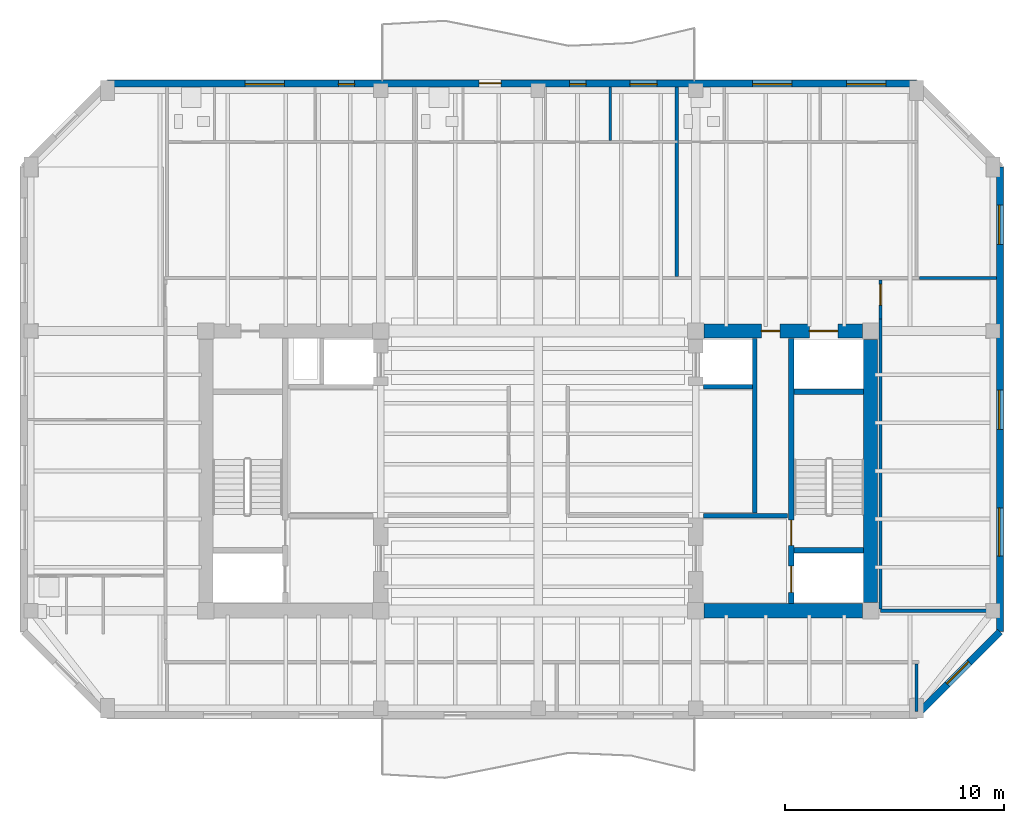
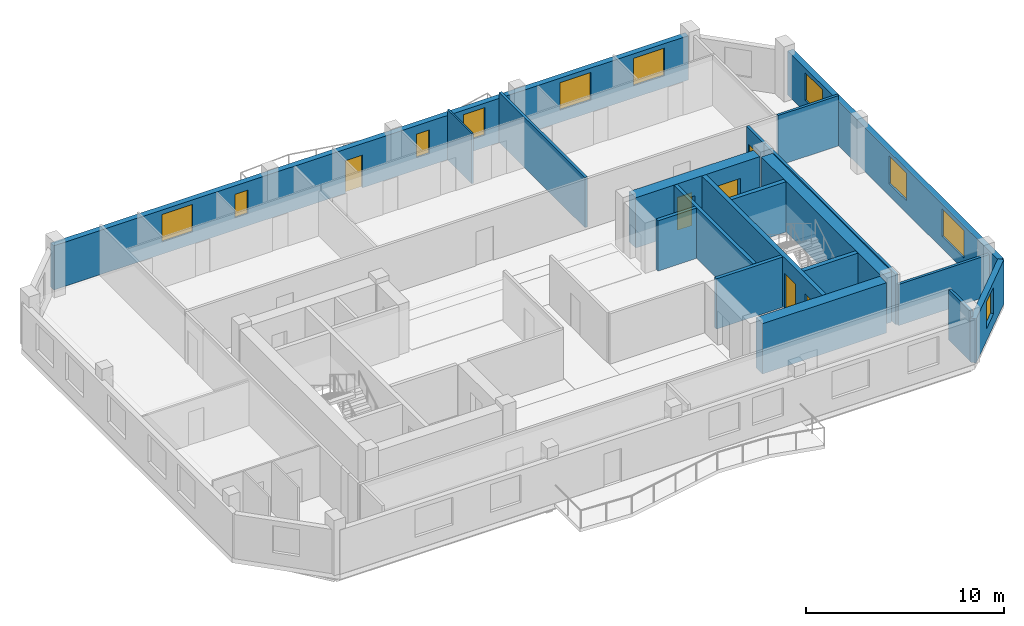
# One storey, part 5 of 10: 19 walls, 10 windows, 6 doors, 16 openings.
"""IFC4 building model written with IfcOpenShell, lengths in metres."""

from ifc_helpers import new_model, si_unit, direction, frame, frame_2d, origin, place, context, subcontext, project, spatial, rectangle, extrude, material, layer, layer_set, type_object, element, fill, save


model = new_model("IFC4")

# Units and contexts
model_context = context("Model", 3, precision=1e-05, world=origin(), true_north=direction((0.0, 1.0)))
body_context = subcontext(model_context, "Body", "Model", "MODEL_VIEW")
ifc_project = project(units=[si_unit("LENGTHUNIT", "METRE"), si_unit("AREAUNIT", "SQUARE_METRE"), si_unit("VOLUMEUNIT", "CUBIC_METRE"), si_unit("PLANEANGLEUNIT", "RADIAN"), si_unit("MASSUNIT", "GRAM", prefix="KILO")], contexts=[model_context])

# Site, building, storey
site_placement = place(None, origin())
site = spatial("IfcSite", under=ifc_project, at=site_placement, CompositionType="ELEMENT")
building_placement = place(site_placement, origin())
building = spatial("IfcBuilding", under=site, at=building_placement, Name="Kranthara Brick Stack", CompositionType="ELEMENT")
storey_placement = place(building_placement, frame((0.0, 0.0, 272.10009765625)))
storey = spatial("IfcBuildingStorey", under=building, at=storey_placement, Name="L72", CompositionType="ELEMENT", Elevation=272.10009765625)

# Wall, openings, door, windows
ifc_material_1 = material(Name="Warm buff clay brick masonry M15", Category="masonry")
ifc_layer_1 = layer(ifc_material_1, 0.320068359375)
ifc_layer_set_1 = layer_set([ifc_layer_1], Name="Warm buff clay brick masonry M15")
wall_type_1 = type_object("IfcWallType", Name="WL-BRK-UPPR-320", PredefinedType="STANDARD", material=ifc_layer_set_1)
wall_1_placement = place(storey_placement, frame((8.300048828125, 44.919921875, 0.0), z_axis=(0.0, 0.0, 1.0), x_axis=(1.0, 0.0, 0.0)))
wall_1 = element("IfcWall", 1, at=wall_1_placement, inside=storey, type_object=wall_type_1, Name="L72 Exterior Brick Facade Wall NORTH 1", PredefinedType="STANDARD", context=body_context, shape_type="SweptSolid", body=[
    extrude(rectangle(XDim=37.0, YDim=0.320068359375, at=frame_2d((18.5, 0.0))), origin(), (0.0, 0.0, 1.0), 2.724853515625),
])
opening_1_placement = place(wall_1_placement, frame((17.0, 0.0, 0.0)))
opening_1 = element("IfcOpeningElement", 2, at=opening_1_placement, cuts=wall_1, Name="Opening D03", PredefinedType="OPENING", context=body_context, shape_type="SweptSolid", body=[
    extrude(rectangle(XDim=1.0, YDim=2.02001953125, at=frame_2d((0.5, 1.010009765625))), frame((0.0, 0.169921875, 0.0), z_axis=(0.0, -1.0, 0.0), x_axis=(1.0, 0.0, 0.0)), (0.0, 0.0, 1.0), 0.340087890625),
])
opening_2_placement = place(wall_1_placement, frame((6.294921875, 0.0, 0.75)))
opening_2 = element("IfcOpeningElement", 3, at=opening_2_placement, cuts=wall_1, Name="Opening WN07", PredefinedType="OPENING", context=body_context, shape_type="SweptSolid", body=[
    extrude(rectangle(XDim=1.800048828125, YDim=1.699951171875, at=frame_2d((0.89990234375, 0.85009765625))), frame((0.0, 0.169921875, 0.0), z_axis=(0.0, -1.0, 0.0), x_axis=(1.0, 0.0, 0.0)), (0.0, 0.0, 1.0), 0.340087890625),
])
opening_3_placement = place(wall_1_placement, frame((23.885986328125, 0.0, 0.75)))
opening_3 = element("IfcOpeningElement", 4, at=opening_3_placement, cuts=wall_1, Name="Opening WN09", PredefinedType="OPENING", context=body_context, shape_type="SweptSolid", body=[
    extrude(rectangle(XDim=1.25, YDim=1.699951171875, at=frame_2d((0.625, 0.85009765625))), frame((0.0, 0.169921875, 0.0), z_axis=(0.0, -1.0, 0.0), x_axis=(1.0, 0.0, 0.0)), (0.0, 0.0, 1.0), 0.340087890625),
])
opening_4_placement = place(wall_1_placement, frame((29.5029296875, 0.0, 0.75)))
opening_4 = element("IfcOpeningElement", 5, at=opening_4_placement, cuts=wall_1, Name="Opening WN07", PredefinedType="OPENING", context=body_context, shape_type="SweptSolid", body=[
    extrude(rectangle(XDim=1.800048828125, YDim=1.699951171875, at=frame_2d((0.89990234375, 0.85009765625))), frame((0.0, 0.169921875, 0.0), z_axis=(0.0, -1.0, 0.0), x_axis=(1.0, 0.0, 0.0)), (0.0, 0.0, 1.0), 0.340087890625),
])
opening_5_placement = place(wall_1_placement, frame((33.798095703125, 0.0, 0.75)))
opening_5 = element("IfcOpeningElement", 6, at=opening_5_placement, cuts=wall_1, Name="Opening WN07", PredefinedType="OPENING", context=body_context, shape_type="SweptSolid", body=[
    extrude(rectangle(XDim=1.800048828125, YDim=1.699951171875, at=frame_2d((0.89990234375, 0.85009765625))), frame((0.0, 0.169921875, 0.0), z_axis=(0.0, -1.0, 0.0), x_axis=(1.0, 0.0, 0.0)), (0.0, 0.0, 1.0), 0.340087890625),
])
opening_6_placement = place(wall_1_placement, frame((10.55810546875, 0.0, 0.75)))
opening_6 = element("IfcOpeningElement", 7, at=opening_6_placement, cuts=wall_1, Name="Opening WN13", PredefinedType="OPENING", context=body_context, shape_type="SweptSolid", body=[
    extrude(rectangle(XDim=0.75, YDim=1.449951171875, at=frame_2d((0.375, 0.72509765625))), frame((0.0, 0.169921875, 0.0), z_axis=(0.0, -1.0, 0.0), x_axis=(1.0, 0.0, 0.0)), (0.0, 0.0, 1.0), 0.340087890625),
])
opening_7_placement = place(wall_1_placement, frame((21.135986328125, 0.0, 0.75)))
opening_7 = element("IfcOpeningElement", 8, at=opening_7_placement, cuts=wall_1, Name="Opening WN13", PredefinedType="OPENING", context=body_context, shape_type="SweptSolid", body=[
    extrude(rectangle(XDim=0.75, YDim=1.449951171875, at=frame_2d((0.375, 0.72509765625))), frame((0.0, 0.169921875, 0.0), z_axis=(0.0, -1.0, 0.0), x_axis=(1.0, 0.0, 0.0)), (0.0, 0.0, 1.0), 0.340087890625),
])
ifc_material_2 = material(Name="Bronze anodised aluminium and laminated glass", Category="aluminium")
door_type_1 = type_object("IfcDoorType", Name="DR-BALC-1000", OperationType="NOTDEFINED", PredefinedType="DOOR", material=ifc_material_2)
door_1_placement = place(opening_1_placement, origin())
door_1 = element("IfcDoor", 9, at=door_1_placement, inside=storey, type_object=door_type_1, Name="L72 North Balcony Terrace Door", OperationType="SINGLE_SWING_RIGHT", OverallHeight=2.02001953125, OverallWidth=1.0, PredefinedType="DOOR", context=body_context, shape_type="SweptSolid", body=[
    extrude(rectangle(XDim=1.0, YDim=2.02001953125, at=frame_2d((0.5, 1.010009765625))), frame((0.0, 0.02490234375, 0.0), z_axis=(0.0, -1.0, 0.0), x_axis=(1.0, 0.0, 0.0)), (0.0, 0.0, 1.0), 0.050048828125),
])
fill(opening_1, door_1)
ifc_material_3 = material(Name="Double-glazed low-E solar control glass", Category="glass")
window_type_1 = type_object("IfcWindowType", Name="WN-CAS-750x1450", PartitioningType="SINGLE_PANEL", PredefinedType="WINDOW", material=ifc_material_3)
window_1_placement = place(opening_6_placement, origin())
window_1 = element("IfcWindow", 10, at=window_1_placement, inside=storey, type_object=window_type_1, Name="L72 North Deep-Set Casement Window 05", OverallHeight=1.449951171875, OverallWidth=0.75, PartitioningType="SINGLE_PANEL", PredefinedType="WINDOW", context=body_context, shape_type="SweptSolid", body=[
    extrude(rectangle(XDim=0.75, YDim=1.449951171875, at=frame_2d((0.375, 0.72509765625))), frame((0.0, -0.010009765625, 0.0), z_axis=(0.0, -1.0, 0.0), x_axis=(1.0, 0.0, 0.0)), (0.0, 0.0, 1.0), 0.06005859375),
])
fill(opening_6, window_1)
window_2_placement = place(opening_7_placement, origin())
window_2 = element("IfcWindow", 11, at=window_2_placement, inside=storey, type_object=window_type_1, Name="L72 North Deep-Set Casement Window 06", OverallHeight=1.449951171875, OverallWidth=0.75, PartitioningType="SINGLE_PANEL", PredefinedType="WINDOW", context=body_context, shape_type="SweptSolid", body=[
    extrude(rectangle(XDim=0.75, YDim=1.449951171875, at=frame_2d((0.375, 0.72509765625))), frame((0.0, -0.010009765625, 0.0), z_axis=(0.0, -1.0, 0.0), x_axis=(1.0, 0.0, 0.0)), (0.0, 0.0, 1.0), 0.06005859375),
])
fill(opening_7, window_2)
ifc_material_4 = material(Name="Double-glazed low-E solar control glass", Category="glass")
window_type_2 = type_object("IfcWindowType", Name="WN-RES-1250x1850", PartitioningType="SINGLE_PANEL", PredefinedType="WINDOW", material=ifc_material_4)
window_3_placement = place(opening_3_placement, origin())
window_3 = element("IfcWindow", 12, at=window_3_placement, inside=storey, type_object=window_type_2, Name="L72 North Deep-Set Brick Window 02", OverallHeight=1.699951171875, OverallWidth=1.25, PartitioningType="SINGLE_PANEL", PredefinedType="WINDOW", context=body_context, shape_type="SweptSolid", body=[
    extrude(rectangle(XDim=1.25, YDim=1.699951171875, at=frame_2d((0.625, 0.85009765625))), frame((0.0, -0.010009765625, 0.0), z_axis=(0.0, -1.0, 0.0), x_axis=(1.0, 0.0, 0.0)), (0.0, 0.0, 1.0), 0.06005859375),
])
fill(opening_3, window_3)
ifc_material_5 = material(Name="Double-glazed low-E solar control glass", Category="glass")
window_type_3 = type_object("IfcWindowType", Name="WN-RES-1800x1850", PartitioningType="DOUBLE_PANEL_VERTICAL", PredefinedType="WINDOW", material=ifc_material_5)
window_4_placement = place(opening_2_placement, origin())
window_4 = element("IfcWindow", 13, at=window_4_placement, inside=storey, type_object=window_type_3, Name="L72 North Deep-Set Brick Window 01", OverallHeight=1.699951171875, OverallWidth=1.800048828125, PartitioningType="SINGLE_PANEL", PredefinedType="WINDOW", context=body_context, shape_type="SweptSolid", body=[
    extrude(rectangle(XDim=1.800048828125, YDim=1.699951171875, at=frame_2d((0.89990234375, 0.85009765625))), frame((0.0, -0.010009765625, 0.0), z_axis=(0.0, -1.0, 0.0), x_axis=(1.0, 0.0, 0.0)), (0.0, 0.0, 1.0), 0.06005859375),
])
fill(opening_2, window_4)
window_5_placement = place(opening_4_placement, origin())
window_5 = element("IfcWindow", 14, at=window_5_placement, inside=storey, type_object=window_type_3, Name="L72 North Deep-Set Brick Window 03", OverallHeight=1.699951171875, OverallWidth=1.800048828125, PartitioningType="SINGLE_PANEL", PredefinedType="WINDOW", context=body_context, shape_type="SweptSolid", body=[
    extrude(rectangle(XDim=1.800048828125, YDim=1.699951171875, at=frame_2d((0.89990234375, 0.85009765625))), frame((0.0, -0.010009765625, 0.0), z_axis=(0.0, -1.0, 0.0), x_axis=(1.0, 0.0, 0.0)), (0.0, 0.0, 1.0), 0.06005859375),
])
fill(opening_4, window_5)
window_6_placement = place(opening_5_placement, origin())
window_6 = element("IfcWindow", 15, at=window_6_placement, inside=storey, type_object=window_type_3, Name="L72 North Deep-Set Brick Window 04", OverallHeight=1.699951171875, OverallWidth=1.800048828125, PartitioningType="SINGLE_PANEL", PredefinedType="WINDOW", context=body_context, shape_type="SweptSolid", body=[
    extrude(rectangle(XDim=1.800048828125, YDim=1.699951171875, at=frame_2d((0.89990234375, 0.85009765625))), frame((0.0, -0.010009765625, 0.0), z_axis=(0.0, -1.0, 0.0), x_axis=(1.0, 0.0, 0.0)), (0.0, 0.0, 1.0), 0.06005859375),
])
fill(opening_5, window_6)

# Wall, openings, windows
wall_2_placement = place(storey_placement, frame((49.1201171875, 41.10009765625, 0.0), z_axis=(0.0, 0.0, 1.0), x_axis=(0.0, -1.0, 0.0)))
wall_2 = element("IfcWall", 16, at=wall_2_placement, inside=storey, type_object=wall_type_1, Name="L72 Exterior Brick Facade Wall EAST 1", PredefinedType="STANDARD", context=body_context, shape_type="SweptSolid", body=[
    extrude(rectangle(XDim=21.25, YDim=0.320068359375, at=frame_2d((10.625, 0.0))), origin(), (0.0, 0.0, 1.0), 2.724853515625),
])
opening_8_placement = place(wall_2_placement, frame((1.739990234375, 0.0, 0.75)))
opening_8 = element("IfcOpeningElement", 17, at=opening_8_placement, cuts=wall_2, Name="Opening WN07", PredefinedType="OPENING", context=body_context, shape_type="SweptSolid", body=[
    extrude(rectangle(XDim=1.800048828125, YDim=1.699951171875, at=frame_2d((0.89990234375, 0.85009765625))), frame((0.0, 0.169921875, 0.0), z_axis=(0.0, -1.0, 0.0), x_axis=(1.0, 0.0, 0.0)), (0.0, 0.0, 1.0), 0.340087890625),
])
opening_9_placement = place(wall_2_placement, frame((10.2041015625, 0.0, 0.75)))
opening_9 = element("IfcOpeningElement", 18, at=opening_9_placement, cuts=wall_2, Name="Opening WN07", PredefinedType="OPENING", context=body_context, shape_type="SweptSolid", body=[
    extrude(rectangle(XDim=1.800048828125, YDim=1.699951171875, at=frame_2d((0.89990234375, 0.85009765625))), frame((0.0, 0.169921875, 0.0), z_axis=(0.0, -1.0, 0.0), x_axis=(1.0, 0.0, 0.0)), (0.0, 0.0, 1.0), 0.340087890625),
])
opening_10_placement = place(wall_2_placement, frame((15.595947265625, 0.0, 0.75)))
opening_10 = element("IfcOpeningElement", 19, at=opening_10_placement, cuts=wall_2, Name="Opening WN08", PredefinedType="OPENING", context=body_context, shape_type="SweptSolid", body=[
    extrude(rectangle(XDim=2.199951171875, YDim=1.699951171875, at=frame_2d((1.10009765625, 0.85009765625))), frame((0.0, 0.169921875, 0.0), z_axis=(0.0, -1.0, 0.0), x_axis=(1.0, 0.0, 0.0)), (0.0, 0.0, 1.0), 0.340087890625),
])
window_7_placement = place(opening_8_placement, origin())
window_7 = element("IfcWindow", 20, at=window_7_placement, inside=storey, type_object=window_type_3, Name="L72 East Deep-Set Brick Window 01", OverallHeight=1.699951171875, OverallWidth=1.800048828125, PartitioningType="SINGLE_PANEL", PredefinedType="WINDOW", context=body_context, shape_type="SweptSolid", body=[
    extrude(rectangle(XDim=1.800048828125, YDim=1.699951171875, at=frame_2d((0.89990234375, 0.85009765625))), frame((0.0, -0.010009765625, 0.0), z_axis=(0.0, -1.0, 0.0), x_axis=(1.0, 0.0, 0.0)), (0.0, 0.0, 1.0), 0.06005859375),
])
fill(opening_8, window_7)
window_8_placement = place(opening_9_placement, origin())
window_8 = element("IfcWindow", 21, at=window_8_placement, inside=storey, type_object=window_type_3, Name="L72 East Deep-Set Brick Window 02", OverallHeight=1.699951171875, OverallWidth=1.800048828125, PartitioningType="SINGLE_PANEL", PredefinedType="WINDOW", context=body_context, shape_type="SweptSolid", body=[
    extrude(rectangle(XDim=1.800048828125, YDim=1.699951171875, at=frame_2d((0.89990234375, 0.85009765625))), frame((0.0, -0.010009765625, 0.0), z_axis=(0.0, -1.0, 0.0), x_axis=(1.0, 0.0, 0.0)), (0.0, 0.0, 1.0), 0.06005859375),
])
fill(opening_9, window_8)
ifc_material_6 = material(Name="Double-glazed low-E solar control glass", Category="glass")
window_type_4 = type_object("IfcWindowType", Name="WN-RES-2200x1850", PartitioningType="TRIPLE_PANEL_VERTICAL", PredefinedType="WINDOW", material=ifc_material_6)
window_9_placement = place(opening_10_placement, origin())
window_9 = element("IfcWindow", 22, at=window_9_placement, inside=storey, type_object=window_type_4, Name="L72 East Deep-Set Brick Window 03", OverallHeight=1.699951171875, OverallWidth=2.199951171875, PartitioningType="SINGLE_PANEL", PredefinedType="WINDOW", context=body_context, shape_type="SweptSolid", body=[
    extrude(rectangle(XDim=2.199951171875, YDim=1.699951171875, at=frame_2d((1.10009765625, 0.85009765625))), frame((0.0, -0.010009765625, 0.0), z_axis=(0.0, -1.0, 0.0), x_axis=(1.0, 0.0, 0.0)), (0.0, 0.0, 1.0), 0.06005859375),
])
fill(opening_10, window_9)

# Wall, opening, window
wall_3_placement = place(storey_placement, frame((49.1201171875, 19.85009765625, 0.0), z_axis=(0.0, 0.0, 1.0), x_axis=(-0.707106781187, -0.707106781187, 0.0)))
wall_3 = element("IfcWall", 23, at=wall_3_placement, inside=storey, type_object=wall_type_1, Name="L72 Exterior Brick Facade Wall SE 1", PredefinedType="STANDARD", context=body_context, shape_type="SweptSolid", body=[
    extrude(rectangle(XDim=5.40234375, YDim=0.320068359375, at=frame_2d((2.701171875, 0.0))), origin(), (0.0, 0.0, 1.0), 2.724853515625),
])
opening_11_placement = place(wall_3_placement, frame((2.0009765625, 0.0, 0.75)))
opening_11 = element("IfcOpeningElement", 24, at=opening_11_placement, cuts=wall_3, Name="Opening WN10", PredefinedType="OPENING", context=body_context, shape_type="SweptSolid", body=[
    extrude(rectangle(XDim=1.39990234375, YDim=1.64990234375, at=frame_2d((0.699951171875, 0.824951171875))), frame((0.0, 0.169921875, 0.0), z_axis=(0.0, -1.0, 0.0), x_axis=(1.0, 0.0, 0.0)), (0.0, 0.0, 1.0), 0.340087890625),
])
ifc_material_7 = material(Name="Double-glazed low-E solar control glass", Category="glass")
window_type_5 = type_object("IfcWindowType", Name="WN-CHM-1400x1750", PartitioningType="SINGLE_PANEL", PredefinedType="WINDOW", material=ifc_material_7)
window_10_placement = place(opening_11_placement, origin())
window_10 = element("IfcWindow", 25, at=window_10_placement, inside=storey, type_object=window_type_5, Name="L72 SE Chamfer Corner Window", OverallHeight=1.64990234375, OverallWidth=1.39990234375, PartitioningType="SINGLE_PANEL", PredefinedType="WINDOW", context=body_context, shape_type="SweptSolid", body=[
    extrude(rectangle(XDim=1.39990234375, YDim=1.64990234375, at=frame_2d((0.699951171875, 0.824951171875))), frame((0.0, -0.010009765625, 0.0), z_axis=(0.0, -1.0, 0.0), x_axis=(1.0, 0.0, 0.0)), (0.0, 0.0, 1.0), 0.06005859375),
])
fill(opening_11, window_10)

# Wall, openings, doors
ifc_material_8 = material(Name="Concrete C50/60", Category="concrete")
ifc_layer_2 = layer(ifc_material_8, 0.25)
ifc_layer_set_2 = layer_set([ifc_layer_2], Name="Concrete C50/60")
wall_type_2 = type_object("IfcWallType", Name="WL-CORE-250", PredefinedType="SHEAR", material=ifc_layer_set_2)
wall_4_placement = place(storey_placement, frame((39.56494140625, 21.135009765625, 0.0), z_axis=(0.0, 0.0, 1.0), x_axis=(0.0, 1.0, 0.0)))
wall_4 = element("IfcWall", 26, at=wall_4_placement, inside=storey, type_object=wall_type_2, Name="L72 East Core Stair Bearing Spine Wall", PredefinedType="SHEAR", context=body_context, shape_type="SweptSolid", body=[
    extrude(rectangle(XDim=12.1298828125, YDim=0.25, at=frame_2d((6.06494140625, 0.0))), origin(), (0.0, 0.0, 1.0), 3.099853515625),
])
opening_12_placement = place(wall_4_placement, frame((0.514892578125, 0.0, 0.0)))
opening_12 = element("IfcOpeningElement", 27, at=opening_12_placement, cuts=wall_4, Name="Opening LD01", PredefinedType="OPENING", context=body_context, shape_type="SweptSolid", body=[
    extrude(rectangle(XDim=1.199951171875, YDim=2.14990234375, at=frame_2d((0.60009765625, 1.074951171875))), frame((0.0, 0.135009765625, 0.0), z_axis=(0.0, -1.0, 0.0), x_axis=(1.0, 0.0, 0.0)), (0.0, 0.0, 1.0), 0.27001953125),
])
opening_13_placement = place(wall_4_placement, frame((2.6650390625, 0.0, 0.0)))
opening_13 = element("IfcOpeningElement", 28, at=opening_13_placement, cuts=wall_4, Name="Opening D05", PredefinedType="OPENING", context=body_context, shape_type="SweptSolid", body=[
    extrude(rectangle(XDim=1.14990234375, YDim=2.14990234375, at=frame_2d((0.574951171875, 1.074951171875))), frame((0.0, 0.135009765625, 0.0), z_axis=(0.0, -1.0, 0.0), x_axis=(1.0, 0.0, 0.0)), (0.0, 0.0, 1.0), 0.27001953125),
])
ifc_material_9 = material(Name="Stainless steel sliding landing door", Category="steel")
door_type_2 = type_object("IfcDoorType", Name="DR-LD-FF1200", OperationType="DOUBLE_DOOR_SLIDING", PredefinedType="DOOR", material=ifc_material_9)
door_2_placement = place(opening_12_placement, origin())
door_2 = element("IfcDoor", 29, at=door_2_placement, inside=storey, type_object=door_type_2, Name="L72 Firefighting Lift FF-02 Landing Door", OperationType="DOUBLE_DOOR_SLIDING", OverallHeight=2.14990234375, OverallWidth=1.199951171875, PredefinedType="DOOR", context=body_context, shape_type="SweptSolid", body=[
    extrude(rectangle(XDim=1.199951171875, YDim=2.14990234375, at=frame_2d((0.60009765625, 1.074951171875))), frame((0.0, 0.02490234375, 0.0), z_axis=(0.0, -1.0, 0.0), x_axis=(1.0, 0.0, 0.0)), (0.0, 0.0, 1.0), 0.050048828125),
])
fill(opening_12, door_2)
ifc_material_10 = material(Name="Solid-core hardwood timber leaf in steel frame", Category="steel")
door_type_3 = type_object("IfcDoorType", Name="DR-ST-1150", OperationType="NOTDEFINED", PredefinedType="DOOR", material=ifc_material_10)
door_3_placement = place(opening_13_placement, origin())
door_3 = element("IfcDoor", 30, at=door_3_placement, inside=storey, type_object=door_type_3, Name="L72 Exit Stair ST02 Door", OperationType="SINGLE_SWING_LEFT", OverallHeight=2.14990234375, OverallWidth=1.14990234375, PredefinedType="DOOR", context=body_context, shape_type="SweptSolid", body=[
    extrude(rectangle(XDim=1.14990234375, YDim=2.14990234375, at=frame_2d((0.574951171875, 1.074951171875))), frame((0.0, 0.02490234375, 0.0), z_axis=(0.0, -1.0, 0.0), x_axis=(1.0, 0.0, 0.0)), (0.0, 0.0, 1.0), 0.050048828125),
])
fill(opening_13, door_3)

# Walls
for number, where, z_axis, x_axis, name in (
    (31, (39.68994140625, 23.570068359375, 0.0), (0.0, 0.0, 1.0), (1.0, 0.0, 0.0), "L72 East Stairwell Bearing Wall EFF"),
    (32, (39.68994140625, 30.830078125, 0.0), (0.0, 0.0, 1.0), (1.0, 0.0, 0.0), "L72 East Stairwell Bearing Wall EST"),
):
    element("IfcWall", number, at=place(storey_placement, frame(where, z_axis=z_axis, x_axis=x_axis)), inside=storey, type_object=wall_type_2, Name=name, PredefinedType="SHEAR", context=body_context, shape_type="SweptSolid", body=[
        extrude(rectangle(XDim=3.175048828125, YDim=0.25, at=frame_2d((1.58740234375, 0.0))), origin(), (0.0, 0.0, 1.0), 3.099853515625),
    ])
ifc_material_11 = material(Name="Concrete C60/75", Category="concrete")
ifc_layer_3 = layer(ifc_material_11, 0.64990234375)
ifc_layer_set_3 = layer_set([ifc_layer_3], Name="Concrete C60/75")
wall_type_3 = type_object("IfcWallType", Name="WL-CORE-650", PredefinedType="SHEAR", material=ifc_layer_set_3)
wall_5_placement = place(storey_placement, frame((43.199951171875, 21.179931640625, 0.0), z_axis=(0.0, 0.0, 1.0), x_axis=(0.0, 1.0, 0.0)))
element("IfcWall", 33, at=wall_5_placement, inside=storey, type_object=wall_type_3, Name="L72 East Core Shear Wall East", PredefinedType="SHEAR", context=body_context, shape_type="SweptSolid", body=[
    extrude(rectangle(XDim=12.0400390625, YDim=0.64990234375, at=frame_2d((6.02001953125, 0.0))), origin(), (0.0, 0.0, 1.0), 3.099853515625),
])
wall_6_placement = place(storey_placement, frame((35.580078125, 20.800048828125, 0.0), z_axis=(0.0, 0.0, 1.0), x_axis=(1.0, 0.0, 0.0)))
element("IfcWall", 34, at=wall_6_placement, inside=storey, type_object=wall_type_3, Name="L72 East Core Shear Wall South", PredefinedType="SHEAR", context=body_context, shape_type="SweptSolid", body=[
    extrude(rectangle(XDim=7.239990234375, YDim=0.64990234375, at=frame_2d((3.6201171875, 0.0))), origin(), (0.0, 0.0, 1.0), 3.099853515625),
])

# Wall, openings, doors
wall_7_placement = place(storey_placement, frame((35.580078125, 33.60009765625, 0.0), z_axis=(0.0, 0.0, 1.0), x_axis=(1.0, 0.0, 0.0)))
wall_7 = element("IfcWall", 35, at=wall_7_placement, inside=storey, type_object=wall_type_3, Name="L72 East Core Shear Wall North", PredefinedType="SHEAR", context=body_context, shape_type="SweptSolid", body=[
    extrude(rectangle(XDim=7.239990234375, YDim=0.64990234375, at=frame_2d((3.6201171875, 0.0))), origin(), (0.0, 0.0, 1.0), 3.099853515625),
])
opening_14_placement = place(wall_7_placement, frame((4.820068359375, 0.0, 0.0)))
opening_14 = element("IfcOpeningElement", 36, at=opening_14_placement, cuts=wall_7, Name="Opening LD03", PredefinedType="OPENING", context=body_context, shape_type="SweptSolid", body=[
    extrude(rectangle(XDim=1.300048828125, YDim=2.14990234375, at=frame_2d((0.64990234375, 1.074951171875))), frame((0.0, 0.3349609375, 0.0), z_axis=(0.0, -1.0, 0.0), x_axis=(1.0, 0.0, 0.0)), (0.0, 0.0, 1.0), 0.669921875),
])
opening_15_placement = place(wall_7_placement, frame((2.6201171875, 0.0, 0.0)))
opening_15 = element("IfcOpeningElement", 37, at=opening_15_placement, cuts=wall_7, Name="Opening D10", PredefinedType="OPENING", context=body_context, shape_type="SweptSolid", body=[
    extrude(rectangle(XDim=0.85009765625, YDim=2.02001953125, at=frame_2d((0.425048828125, 1.010009765625))), frame((0.0, 0.3349609375, 0.0), z_axis=(0.0, -1.0, 0.0), x_axis=(1.0, 0.0, 0.0)), (0.0, 0.0, 1.0), 0.669921875),
])
ifc_material_12 = material(Name="Stainless steel sliding landing door", Category="steel")
door_type_4 = type_object("IfcDoorType", Name="DR-LD-SV1300", OperationType="DOUBLE_DOOR_SLIDING", PredefinedType="DOOR", material=ifc_material_12)
door_4_placement = place(opening_14_placement, origin())
door_4 = element("IfcDoor", 38, at=door_4_placement, inside=storey, type_object=door_type_4, Name="L72 Stretcher Service Lift SV-01 Landing Door", OperationType="DOUBLE_DOOR_SLIDING", OverallHeight=2.14990234375, OverallWidth=1.300048828125, PredefinedType="DOOR", context=body_context, shape_type="SweptSolid", body=[
    extrude(rectangle(XDim=1.300048828125, YDim=2.14990234375, at=frame_2d((0.64990234375, 1.074951171875))), frame((0.0, 0.02490234375, 0.0), z_axis=(0.0, -1.0, 0.0), x_axis=(1.0, 0.0, 0.0)), (0.0, 0.0, 1.0), 0.050048828125),
])
fill(opening_14, door_4)
ifc_material_13 = material(Name="Solid-core hardwood timber leaf in steel frame", Category="steel")
door_type_5 = type_object("IfcDoorType", Name="DR-RSR-850", OperationType="NOTDEFINED", PredefinedType="DOOR", material=ifc_material_13)
door_5_placement = place(opening_15_placement, origin())
door_5 = element("IfcDoor", 39, at=door_5_placement, inside=storey, type_object=door_type_5, Name="L72 East Core Service Room Door", OperationType="SINGLE_SWING_LEFT", OverallHeight=2.02001953125, OverallWidth=0.85009765625, PredefinedType="DOOR", context=body_context, shape_type="SweptSolid", body=[
    extrude(rectangle(XDim=0.85009765625, YDim=2.02001953125, at=frame_2d((0.425048828125, 1.010009765625))), frame((0.0, 0.02490234375, 0.0), z_axis=(0.0, -1.0, 0.0), x_axis=(1.0, 0.0, 0.0)), (0.0, 0.0, 1.0), 0.050048828125),
])
fill(opening_15, door_5)

# Walls
ifc_material_14 = material(Name="Moisture-resistant wet-room partition", Category="other")
ifc_layer_4 = layer(ifc_material_14, 0.10009765625)
ifc_layer_set_4 = layer_set([ifc_layer_4], Name="Moisture-resistant wet-room partition")
wall_type_4 = type_object("IfcWallType", Name="WL-PART-100", PredefinedType="PARTITIONING", material=ifc_layer_set_4)
wall_8_placement = place(storey_placement, frame((31.291015625, 42.304931640625, 0.0), z_axis=(0.0, 0.0, 1.0), x_axis=(0.0, 1.0, 0.0)))
element("IfcWall", 40, at=wall_8_placement, inside=storey, type_object=wall_type_4, Name="L72 Interior Partition 018", PredefinedType="PARTITIONING", context=body_context, shape_type="SweptSolid", body=[
    extrude(rectangle(XDim=2.449951171875, YDim=0.10009765625, at=frame_2d((1.22509765625, 0.0))), origin(), (0.0, 0.0, 1.0), 3.099853515625),
])
ifc_material_15 = material(Name="Fire-rated gypsum board partition", Category="other")
ifc_layer_5 = layer(ifc_material_15, 0.14990234375)
ifc_layer_set_5 = layer_set([ifc_layer_5], Name="Fire-rated gypsum board partition")
wall_type_5 = type_object("IfcWallType", Name="WL-PART-150", PredefinedType="PARTITIONING", material=ifc_layer_set_5)
wall_9_placement = place(storey_placement, frame((45.300048828125, 16.195068359375, 0.0), z_axis=(0.0, 0.0, 1.0), x_axis=(0.0, 1.0, 0.0)))
element("IfcWall", 41, at=wall_9_placement, inside=storey, type_object=wall_type_5, Name="L72 Interior Partition 008", PredefinedType="PARTITIONING", context=body_context, shape_type="SweptSolid", body=[
    extrude(rectangle(XDim=2.184814453125, YDim=0.14990234375, at=frame_2d((1.09228515625, 0.0))), origin(), (0.0, 0.0, 1.0), 3.099853515625),
])
wall_10_placement = place(storey_placement, frame((34.330078125, 36.10009765625, 0.0), z_axis=(0.0, 0.0, 1.0), x_axis=(0.0, 1.0, 0.0)))
element("IfcWall", 42, at=wall_10_placement, inside=storey, type_object=wall_type_5, Name="L72 Interior Partition 019", PredefinedType="PARTITIONING", context=body_context, shape_type="SweptSolid", body=[
    extrude(rectangle(XDim=8.65478515625, YDim=0.14990234375, at=frame_2d((4.327392578125, 0.0))), origin(), (0.0, 0.0, 1.0), 3.099853515625),
])
wall_11_placement = place(storey_placement, frame((43.64990234375, 20.800048828125, 0.0), z_axis=(0.0, 0.0, 1.0), x_axis=(1.0, 0.0, 0.0)))
element("IfcWall", 43, at=wall_11_placement, inside=storey, type_object=wall_type_5, Name="L72 Interior Partition 033", PredefinedType="PARTITIONING", context=body_context, shape_type="SweptSolid", body=[
    extrude(rectangle(XDim=5.30517578125, YDim=0.14990234375, at=frame_2d((2.652587890625, 0.0))), origin(), (0.0, 0.0, 1.0), 2.534912109375),
])
wall_12_placement = place(storey_placement, frame((45.429931640625, 36.02001953125, 0.0), z_axis=(0.0, 0.0, 1.0), x_axis=(1.0, 0.0, 0.0)))
element("IfcWall", 44, at=wall_12_placement, inside=storey, type_object=wall_type_5, Name="L72 Interior Partition 034", PredefinedType="PARTITIONING", context=body_context, shape_type="SweptSolid", body=[
    extrude(rectangle(XDim=3.525146484375, YDim=0.14990234375, at=frame_2d((1.7626953125, 0.0))), origin(), (0.0, 0.0, 1.0), 3.099853515625),
])
wall_13_placement = place(storey_placement, frame((43.64990234375, 20.8798828125, 0.0), z_axis=(0.0, 0.0, 1.0), x_axis=(0.0, 1.0, 0.0)))
element("IfcWall", 45, at=wall_13_placement, inside=storey, type_object=wall_type_5, Name="L72 Interior Partition 035", PredefinedType="PARTITIONING", context=body_context, shape_type="SweptSolid", body=[
    extrude(rectangle(XDim=13.27001953125, YDim=0.14990234375, at=frame_2d((6.635009765625, 0.0))), origin(), (0.0, 0.0, 1.0), 3.099853515625),
])

# Wall, opening, door
wall_14_placement = place(storey_placement, frame((43.64990234375, 34.14990234375, 0.0), z_axis=(0.0, 0.0, 1.0), x_axis=(0.0, 1.0, 0.0)))
wall_14 = element("IfcWall", 46, at=wall_14_placement, inside=storey, type_object=wall_type_5, Name="L72 Interior Partition 036", PredefinedType="PARTITIONING", context=body_context, shape_type="SweptSolid", body=[
    extrude(rectangle(XDim=1.7900390625, YDim=0.14990234375, at=frame_2d((0.89501953125, 0.0))), origin(), (0.0, 0.0, 1.0), 3.099853515625),
])
opening_16_placement = place(wall_14_placement, frame((0.6298828125, 0.0, 0.0)))
opening_16 = element("IfcOpeningElement", 47, at=opening_16_placement, cuts=wall_14, Name="Opening D09", PredefinedType="OPENING", context=body_context, shape_type="SweptSolid", body=[
    extrude(rectangle(XDim=0.949951171875, YDim=2.10009765625, at=frame_2d((0.47509765625, 1.050048828125))), frame((0.0, 0.0849609375, 0.0), z_axis=(0.0, -1.0, 0.0), x_axis=(1.0, 0.0, 0.0)), (0.0, 0.0, 1.0), 0.169921875),
])
ifc_material_16 = material(Name="Solid-core hardwood timber leaf in steel frame", Category="steel")
door_type_6 = type_object("IfcDoorType", Name="DR-FD-950", OperationType="NOTDEFINED", PredefinedType="DOOR", material=ifc_material_16)
door_6_placement = place(opening_16_placement, origin())
door_6 = element("IfcDoor", 48, at=door_6_placement, inside=storey, type_object=door_type_6, Name="L72 East Sky Conservatory Door 23", OperationType="SINGLE_SWING_LEFT", OverallHeight=2.10009765625, OverallWidth=0.949951171875, PredefinedType="DOOR", context=body_context, shape_type="SweptSolid", body=[
    extrude(rectangle(XDim=0.949951171875, YDim=2.10009765625, at=frame_2d((0.47509765625, 1.050048828125))), frame((0.0, 0.02490234375, 0.0), z_axis=(0.0, -1.0, 0.0), x_axis=(1.0, 0.0, 0.0)), (0.0, 0.0, 1.0), 0.050048828125),
])
fill(opening_16, door_6)

# Walls
ifc_material_17 = material(Name="Concrete C40/50", Category="concrete")
ifc_layer_6 = layer(ifc_material_17, 0.199951171875)
ifc_layer_set_6 = layer_set([ifc_layer_6], Name="Concrete C40/50")
wall_type_6 = type_object("IfcWallType", Name="WL-PART-200", PredefinedType="SOLIDWALL", material=ifc_layer_set_6)
wall_15_placement = place(storey_placement, frame((35.550048828125, 25.14990234375, 0.0), z_axis=(0.0, 0.0, 1.0), x_axis=(1.0, 0.0, 0.0)))
element("IfcWall", 49, at=wall_15_placement, inside=storey, type_object=wall_type_6, Name="L72 East Core Cross Wall EFL", PredefinedType="SOLIDWALL", context=body_context, shape_type="SweptSolid", body=[
    extrude(rectangle(XDim=3.849853515625, YDim=0.199951171875, at=frame_2d((1.9248046875, 0.0))), origin(), (0.0, 0.0, 1.0), 3.099853515625),
])
wall_16_placement = place(storey_placement, frame((35.550048828125, 31.050048828125, 0.0), z_axis=(0.0, 0.0, 1.0), x_axis=(1.0, 0.0, 0.0)))
element("IfcWall", 50, at=wall_16_placement, inside=storey, type_object=wall_type_6, Name="L72 East Core Cross Wall EE4", PredefinedType="SOLIDWALL", context=body_context, shape_type="SweptSolid", body=[
    extrude(rectangle(XDim=2.25, YDim=0.199951171875, at=frame_2d((1.125, 0.0))), origin(), (0.0, 0.0, 1.0), 3.099853515625),
])
wall_17_placement = place(storey_placement, frame((37.89990234375, 25.27001953125, 0.0), z_axis=(0.0, 0.0, 1.0), x_axis=(0.0, 1.0, 0.0)))
element("IfcWall", 51, at=wall_17_placement, inside=storey, type_object=wall_type_6, Name="L72 East Core Cross Wall ESV", PredefinedType="SOLIDWALL", context=body_context, shape_type="SweptSolid", body=[
    extrude(rectangle(XDim=7.994873046875, YDim=0.199951171875, at=frame_2d((3.99755859375, 0.0))), origin(), (0.0, 0.0, 1.0), 3.099853515625),
])

save(model, "model.ifc")
